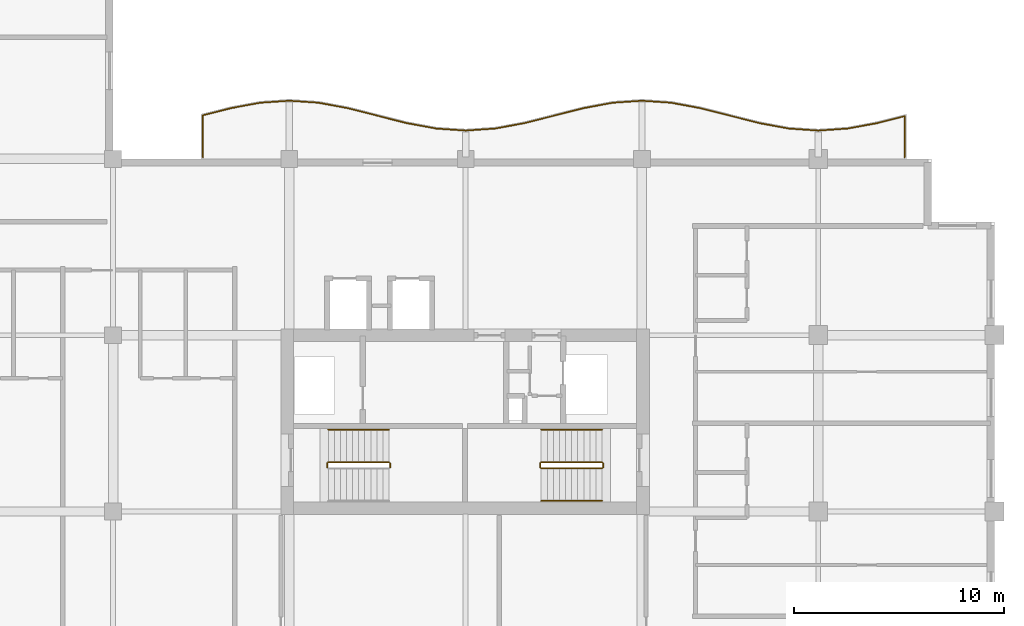
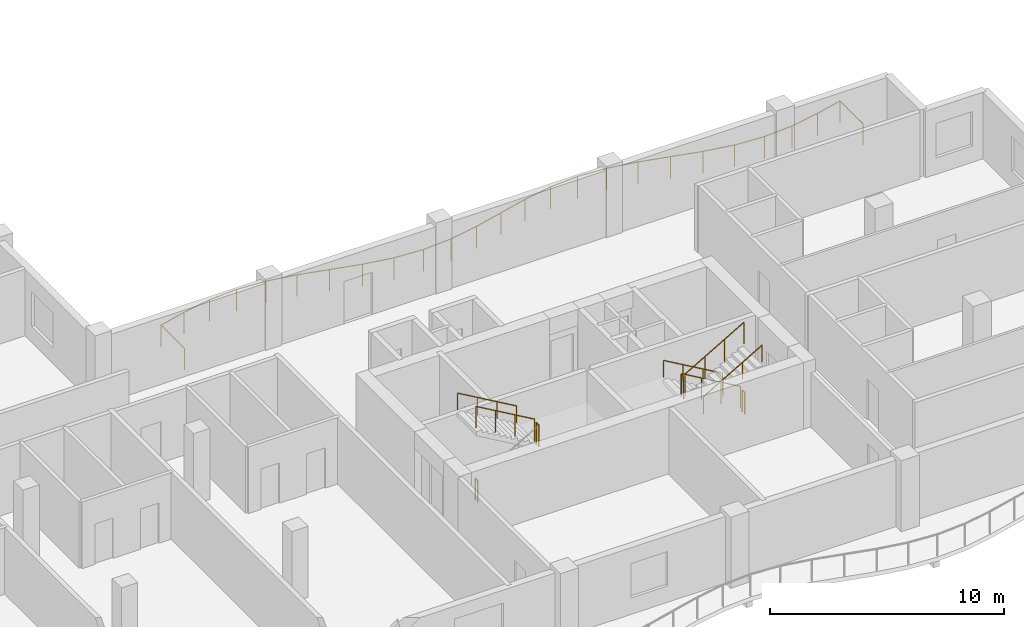
# One storey, part 14 of 16: 11 railings.
"""IFC4 building model written with IfcOpenShell, lengths in metres."""

from ifc_helpers import new_model, si_unit, direction, frame, origin, origin_2d, place, context, subcontext, project, spatial, circle, extrude, material, type_object, element, save


model = new_model("IFC4")

# Units and contexts
model_context = context("Model", 3, precision=1e-05, world=origin(), true_north=direction((0.0, 1.0)))
body_context = subcontext(model_context, "Body", "Model", "MODEL_VIEW")
ifc_project = project(units=[si_unit("LENGTHUNIT", "METRE"), si_unit("AREAUNIT", "SQUARE_METRE"), si_unit("VOLUMEUNIT", "CUBIC_METRE"), si_unit("PLANEANGLEUNIT", "RADIAN"), si_unit("MASSUNIT", "GRAM", prefix="KILO")], contexts=[model_context])

# Site, building, storey
site_placement = place(None, origin())
site = spatial("IfcSite", under=ifc_project, at=site_placement, CompositionType="ELEMENT")
building_placement = place(site_placement, origin())
building = spatial("IfcBuilding", under=site, at=building_placement, Name="Koriwani Terraces Tower", CompositionType="ELEMENT")
storey_placement = place(building_placement, frame((0.0, 0.0, 252.699951171875)))
storey = spatial("IfcBuildingStorey", under=building, at=storey_placement, Name="L62", CompositionType="ELEMENT", Elevation=252.699951171875)

# Railings
ifc_material = material(Name="Steel ASTM A572 Grade 50", Category="steel")
railing_type_1 = type_object("IfcRailingType", Name="GUARD_BALUSTRADE_1150", PredefinedType="BALUSTRADE", material=ifc_material)
railing_1_placement = place(storey_placement, frame((71.320068359375, 33.679931640625, 0.0)))
element("IfcRailing", 1, at=railing_1_placement, inside=storey, type_object=railing_type_1, Name="L62 Balcony Perimeter Safety Balustrade (NE)", PredefinedType="BALUSTRADE", context=body_context, shape_type="SweptSolid", body=[
    extrude(circle(Radius=0.02392578125, at=origin_2d()), frame((0.0, 0.0, 1.1259765625), z_axis=(0.0, 1.0, 0.0), x_axis=(-1.0, 0.0, 0.0)), (0.0, 0.0, 1.0), 1.957275390625),
    extrude(circle(Radius=0.02392578125, at=origin_2d()), frame((0.0, 1.957275390625, 1.1259765625), z_axis=(-0.969335916043, -0.245739459323, 0.0), x_axis=(0.245739459323, -0.969335916043, 0.0)), (0.0, 0.0, 1.0), 1.34423828125),
    extrude(circle(Radius=0.02392578125, at=origin_2d()), frame((-1.302978515625, 1.626953125, 1.1259765625), z_axis=(-0.983227655562, -0.182382502828, 0.0), x_axis=(0.182382502828, -0.983227655562, 0.0)), (0.0, 0.0, 1.0), 1.430908203125),
    extrude(circle(Radius=0.02392578125, at=origin_2d()), frame((-2.7099609375, 1.365966796875, 1.1259765625), z_axis=(-0.997704957786, -0.067711278299, 0.0), x_axis=(0.067711278299, -0.997704957786, 0.0)), (0.0, 0.0, 1.0), 1.413330078125),
    extrude(circle(Radius=0.02392578125, at=origin_2d()), frame((-4.1201171875, 1.270263671875, 1.1259765625), z_axis=(-0.997704165633, 0.067722949425, 0.0), x_axis=(-0.067722949425, -0.997704165633, 0.0)), (0.0, 0.0, 1.0), 1.4130859375),
    extrude(circle(Radius=0.02392578125, at=origin_2d()), frame((-5.530029296875, 1.365966796875, 1.1259765625), z_axis=(-0.983233329212, 0.182351913416, 0.0), x_axis=(-0.182351913416, -0.983233329212, 0.0)), (0.0, 0.0, 1.0), 1.43115234375),
    extrude(circle(Radius=0.02392578125, at=origin_2d()), frame((-6.937255859375, 1.626953125, 1.1259765625), z_axis=(-0.969326714928, 0.245775750895, 0.0), x_axis=(-0.245775750895, -0.969326714928, 0.0)), (0.0, 0.0, 1.0), 2.888671875),
    extrude(circle(Radius=0.02392578125, at=origin_2d()), frame((-9.7373046875, 2.3369140625, 1.1259765625), z_axis=(-0.98320420208, 0.182508895706, 0.0), x_axis=(-0.182508895706, -0.98320420208, 0.0)), (0.0, 0.0, 1.0), 1.41650390625),
    extrude(circle(Radius=0.02392578125, at=origin_2d()), frame((-11.130126953125, 2.595458984375, 1.1259765625), z_axis=(-0.997697457915, 0.067821696155, 0.0), x_axis=(-0.067821696155, -0.997697457915, 0.0)), (0.0, 0.0, 1.0), 1.39306640625),
    extrude(circle(Radius=0.02392578125, at=origin_2d()), frame((-12.52001953125, 2.68994140625, 1.1259765625), z_axis=(-0.997698263815, -0.067809839848, 0.0), x_axis=(0.067809839848, -0.997698263815, 0.0)), (0.0, 0.0, 1.0), 1.393310546875),
    extrude(circle(Radius=0.02392578125, at=origin_2d()), frame((-13.91015625, 2.595458984375, 1.1259765625), z_axis=(-0.98320420208, -0.182508895706, 0.0), x_axis=(0.182508895706, -0.98320420208, 0.0)), (0.0, 0.0, 1.0), 1.41650390625),
    extrude(circle(Radius=0.02392578125, at=origin_2d()), frame((-15.302978515625, 2.3369140625, 1.1259765625), z_axis=(-0.969326714928, -0.245775750895, 0.0), x_axis=(0.245775750895, -0.969326714928, 0.0)), (0.0, 0.0, 1.0), 2.888671875),
    extrude(circle(Radius=0.02392578125, at=origin_2d()), frame((-18.10302734375, 1.626953125, 1.1259765625), z_axis=(-0.983227655562, -0.182382502828, 0.0), x_axis=(0.182382502828, -0.983227655562, 0.0)), (0.0, 0.0, 1.0), 1.430908203125),
    extrude(circle(Radius=0.02392578125, at=origin_2d()), frame((-19.510009765625, 1.365966796875, 1.1259765625), z_axis=(-0.997704957786, -0.067711278299, 0.0), x_axis=(0.067711278299, -0.997704957786, 0.0)), (0.0, 0.0, 1.0), 1.413330078125),
    extrude(circle(Radius=0.02392578125, at=origin_2d()), frame((-20.920166015625, 1.270263671875, 1.1259765625), z_axis=(-0.997704165633, 0.067722949425, 0.0), x_axis=(-0.067722949425, -0.997704165633, 0.0)), (0.0, 0.0, 1.0), 1.4130859375),
    extrude(circle(Radius=0.02392578125, at=origin_2d()), frame((-22.330078125, 1.365966796875, 1.1259765625), z_axis=(-0.983227655562, 0.182382502828, 0.0), x_axis=(-0.182382502828, -0.983227655562, 0.0)), (0.0, 0.0, 1.0), 1.430908203125),
    extrude(circle(Radius=0.02392578125, at=origin_2d()), frame((-23.737060546875, 1.626953125, 1.1259765625), z_axis=(-0.969331819617, 0.245755617389, 0.0), x_axis=(-0.245755617389, -0.969331819617, 0.0)), (0.0, 0.0, 1.0), 2.888916015625),
    extrude(circle(Radius=0.02392578125, at=origin_2d()), frame((-26.537353515625, 2.3369140625, 1.1259765625), z_axis=(-0.98320420208, 0.182508895706, 0.0), x_axis=(-0.182508895706, -0.98320420208, 0.0)), (0.0, 0.0, 1.0), 1.41650390625),
    extrude(circle(Radius=0.02392578125, at=origin_2d()), frame((-27.93017578125, 2.595458984375, 1.1259765625), z_axis=(-0.997697457915, 0.067821696155, 0.0), x_axis=(-0.067821696155, -0.997697457915, 0.0)), (0.0, 0.0, 1.0), 1.39306640625),
    extrude(circle(Radius=0.02392578125, at=origin_2d()), frame((-29.320068359375, 2.68994140625, 1.1259765625), z_axis=(-0.997697457915, -0.067821696155, 0.0), x_axis=(0.067821696155, -0.997697457915, 0.0)), (0.0, 0.0, 1.0), 1.39306640625),
    extrude(circle(Radius=0.02392578125, at=origin_2d()), frame((-30.7099609375, 2.595458984375, 1.1259765625), z_axis=(-0.98320420208, -0.182508895706, 0.0), x_axis=(0.182508895706, -0.98320420208, 0.0)), (0.0, 0.0, 1.0), 1.41650390625),
    extrude(circle(Radius=0.02392578125, at=origin_2d()), frame((-32.102783203125, 2.3369140625, 1.1259765625), z_axis=(-0.969325182173, -0.245781795918, 0.0), x_axis=(0.245781795918, -0.969325182173, 0.0)), (0.0, 0.0, 1.0), 1.379638671875),
    extrude(circle(Radius=0.02392578125, at=origin_2d()), frame((-33.440185546875, 1.997802734375, 1.1259765625), z_axis=(0.0, -1.0, 0.0), x_axis=(1.0, 0.0, 0.0)), (0.0, 0.0, 1.0), 1.997802734375),
    extrude(circle(Radius=0.02099609375, at=origin_2d()), origin(), (0.0, 0.0, 1.0), 1.101806640625),
    extrude(circle(Radius=0.02099609375, at=origin_2d()), frame((0.0, 1.957275390625, 0.0)), (0.0, 0.0, 1.0), 1.101806640625),
    extrude(circle(Radius=0.02099609375, at=origin_2d()), frame((-1.302978515625, 1.626953125, 0.0)), (0.0, 0.0, 1.0), 1.101806640625),
    extrude(circle(Radius=0.02099609375, at=origin_2d()), frame((-2.7099609375, 1.365966796875, 0.0)), (0.0, 0.0, 1.0), 1.101806640625),
    extrude(circle(Radius=0.02099609375, at=origin_2d()), frame((-4.1201171875, 1.270263671875, 0.0)), (0.0, 0.0, 1.0), 1.101806640625),
    extrude(circle(Radius=0.02099609375, at=origin_2d()), frame((-5.530029296875, 1.365966796875, 0.0)), (0.0, 0.0, 1.0), 1.101806640625),
    extrude(circle(Radius=0.02099609375, at=origin_2d()), frame((-6.937255859375, 1.626953125, 0.0)), (0.0, 0.0, 1.0), 1.101806640625),
    extrude(circle(Radius=0.02099609375, at=origin_2d()), frame((-8.33740234375, 1.98193359375, 0.0)), (0.0, 0.0, 1.0), 1.101806640625),
    extrude(circle(Radius=0.02099609375, at=origin_2d()), frame((-9.7373046875, 2.3369140625, 0.0)), (0.0, 0.0, 1.0), 1.101806640625),
    extrude(circle(Radius=0.02099609375, at=origin_2d()), frame((-11.130126953125, 2.595458984375, 0.0)), (0.0, 0.0, 1.0), 1.101806640625),
    extrude(circle(Radius=0.02099609375, at=origin_2d()), frame((-12.52001953125, 2.68994140625, 0.0)), (0.0, 0.0, 1.0), 1.101806640625),
    extrude(circle(Radius=0.02099609375, at=origin_2d()), frame((-13.91015625, 2.595458984375, 0.0)), (0.0, 0.0, 1.0), 1.101806640625),
    extrude(circle(Radius=0.02099609375, at=origin_2d()), frame((-15.302978515625, 2.3369140625, 0.0)), (0.0, 0.0, 1.0), 1.101806640625),
    extrude(circle(Radius=0.02099609375, at=origin_2d()), frame((-16.703125, 1.98193359375, 0.0)), (0.0, 0.0, 1.0), 1.101806640625),
    extrude(circle(Radius=0.02099609375, at=origin_2d()), frame((-18.10302734375, 1.626953125, 0.0)), (0.0, 0.0, 1.0), 1.101806640625),
    extrude(circle(Radius=0.02099609375, at=origin_2d()), frame((-19.510009765625, 1.365966796875, 0.0)), (0.0, 0.0, 1.0), 1.101806640625),
    extrude(circle(Radius=0.02099609375, at=origin_2d()), frame((-20.920166015625, 1.270263671875, 0.0)), (0.0, 0.0, 1.0), 1.101806640625),
    extrude(circle(Radius=0.02099609375, at=origin_2d()), frame((-22.330078125, 1.365966796875, 0.0)), (0.0, 0.0, 1.0), 1.101806640625),
    extrude(circle(Radius=0.02099609375, at=origin_2d()), frame((-23.737060546875, 1.626953125, 0.0)), (0.0, 0.0, 1.0), 1.101806640625),
    extrude(circle(Radius=0.02099609375, at=origin_2d()), frame((-25.13720703125, 1.98193359375, 0.0)), (0.0, 0.0, 1.0), 1.101806640625),
    extrude(circle(Radius=0.02099609375, at=origin_2d()), frame((-26.537353515625, 2.3369140625, 0.0)), (0.0, 0.0, 1.0), 1.101806640625),
    extrude(circle(Radius=0.02099609375, at=origin_2d()), frame((-27.93017578125, 2.595458984375, 0.0)), (0.0, 0.0, 1.0), 1.101806640625),
    extrude(circle(Radius=0.02099609375, at=origin_2d()), frame((-29.320068359375, 2.68994140625, 0.0)), (0.0, 0.0, 1.0), 1.101806640625),
    extrude(circle(Radius=0.02099609375, at=origin_2d()), frame((-30.7099609375, 2.595458984375, 0.0)), (0.0, 0.0, 1.0), 1.101806640625),
    extrude(circle(Radius=0.02099609375, at=origin_2d()), frame((-32.102783203125, 2.3369140625, 0.0)), (0.0, 0.0, 1.0), 1.101806640625),
    extrude(circle(Radius=0.02099609375, at=origin_2d()), frame((-33.440185546875, 1.997802734375, 0.0)), (0.0, 0.0, 1.0), 1.101806640625),
    extrude(circle(Radius=0.02099609375, at=origin_2d()), frame((-33.440185546875, 0.0, 0.0)), (0.0, 0.0, 1.0), 1.101806640625),
])
railing_type_2 = type_object("IfcRailingType", Name="GUARD_STAIR_WELL_1120", PredefinedType="GUARDRAIL", material=ifc_material)
railing_2_placement = place(storey_placement, frame((46.800048828125, 18.89990234375, 1.85009765625)))
element("IfcRailing", 2, at=railing_2_placement, inside=storey, type_object=railing_type_2, Name="L62 ST-E1 stair guard 2", PredefinedType="GUARDRAIL", context=body_context, shape_type="SweptSolid", body=[
    extrude(circle(Radius=0.02392578125, at=origin_2d()), frame((0.0, 0.0, 1.1259765625), z_axis=(0.0, 1.0, 0.0), x_axis=(-1.0, 0.0, 0.0)), (0.0, 0.0, 1.0), 0.2001953125),
    extrude(circle(Radius=0.02099609375, at=origin_2d()), origin(), (0.0, 0.0, 1.0), 1.101806640625),
    extrude(circle(Radius=0.02099609375, at=origin_2d()), frame((0.0, 0.2001953125, 0.0)), (0.0, 0.0, 1.0), 1.101806640625),
])
railing_3_placement = place(storey_placement, frame((46.75, 19.14990234375, 2.018310546875)))
element("IfcRailing", 3, at=railing_3_placement, inside=storey, type_object=railing_type_2, Name="L62 ST-E1 stair guard 3", PredefinedType="GUARDRAIL", context=body_context, shape_type="SweptSolid", body=[
    extrude(circle(Radius=0.02392578125, at=origin_2d()), frame((0.0, 0.0, 1.1259765625), z_axis=(-0.86507038078, 0.0, 0.501650512107), x_axis=(0.0, -1.0, 0.0)), (0.0, 0.0, 1.0), 3.352294921875),
    extrude(circle(Radius=0.02099609375, at=origin_2d()), origin(), (0.0, 0.0, 1.0), 1.101806640625),
    extrude(circle(Radius=0.02099609375, at=origin_2d()), frame((-0.966552734375, 0.0, 0.560546875)), (0.0, 0.0, 1.0), 1.101806640625),
    extrude(circle(Radius=0.02099609375, at=origin_2d()), frame((-1.933349609375, 0.0, 1.12109375)), (0.0, 0.0, 1.0), 1.101806640625),
    extrude(circle(Radius=0.02099609375, at=origin_2d()), frame((-2.89990234375, 0.0, 1.681640625)), (0.0, 0.0, 1.0), 1.101806640625),
])
railing_4_placement = place(storey_placement, frame((43.800048828125, 18.89990234375, 0.0)))
element("IfcRailing", 4, at=railing_4_placement, inside=storey, type_object=railing_type_2, Name="L62 ST-E1 stair guard 4", PredefinedType="GUARDRAIL", context=body_context, shape_type="SweptSolid", body=[
    extrude(circle(Radius=0.02392578125, at=origin_2d()), frame((0.0, 0.0, 1.1259765625), z_axis=(0.0, 1.0, 0.0), x_axis=(-1.0, 0.0, 0.0)), (0.0, 0.0, 1.0), 0.2001953125),
    extrude(circle(Radius=0.02099609375, at=origin_2d()), origin(), (0.0, 0.0, 1.0), 1.101806640625),
    extrude(circle(Radius=0.02099609375, at=origin_2d()), frame((0.0, 0.2001953125, 0.0)), (0.0, 0.0, 1.0), 1.101806640625),
])
railing_5_placement = place(storey_placement, frame((56.89990234375, 19.14990234375, 0.168212890625)))
element("IfcRailing", 5, at=railing_5_placement, inside=storey, type_object=railing_type_2, Name="L62 ST-E2 stair guard 1", PredefinedType="GUARDRAIL", context=body_context, shape_type="SweptSolid", body=[
    extrude(circle(Radius=0.02392578125, at=origin_2d()), frame((0.0, 0.0, 1.1259765625), z_axis=(-0.865038774852, 0.0, 0.501705010941), x_axis=(0.0, -1.0, 0.0)), (0.0, 0.0, 1.0), 3.352294921875),
    extrude(circle(Radius=0.02099609375, at=origin_2d()), origin(), (0.0, 0.0, 1.0), 1.101806640625),
    extrude(circle(Radius=0.02099609375, at=origin_2d()), frame((-0.966552734375, 0.0, 0.560546875)), (0.0, 0.0, 1.0), 1.101806640625),
    extrude(circle(Radius=0.02099609375, at=origin_2d()), frame((-1.933349609375, 0.0, 1.121337890625)), (0.0, 0.0, 1.0), 1.101806640625),
    extrude(circle(Radius=0.02099609375, at=origin_2d()), frame((-2.89990234375, 0.0, 1.681884765625)), (0.0, 0.0, 1.0), 1.101806640625),
])
railing_6_placement = place(storey_placement, frame((53.949951171875, 19.10009765625, 1.85009765625)))
element("IfcRailing", 6, at=railing_6_placement, inside=storey, type_object=railing_type_2, Name="L62 ST-E2 stair guard 2", PredefinedType="GUARDRAIL", context=body_context, shape_type="SweptSolid", body=[
    extrude(circle(Radius=0.02392578125, at=origin_2d()), frame((0.0, 0.0, 1.1259765625), z_axis=(0.0, -1.0, 0.0), x_axis=(1.0, 0.0, 0.0)), (0.0, 0.0, 1.0), 0.2001953125),
    extrude(circle(Radius=0.02099609375, at=origin_2d()), origin(), (0.0, 0.0, 1.0), 1.101806640625),
    extrude(circle(Radius=0.02099609375, at=origin_2d()), frame((0.0, -0.2001953125, 0.0)), (0.0, 0.0, 1.0), 1.101806640625),
])
railing_7_placement = place(storey_placement, frame((54.0, 18.85009765625, 2.018310546875)))
element("IfcRailing", 7, at=railing_7_placement, inside=storey, type_object=railing_type_2, Name="L62 ST-E2 stair guard 3", PredefinedType="GUARDRAIL", context=body_context, shape_type="SweptSolid", body=[
    extrude(circle(Radius=0.02392578125, at=origin_2d()), frame((0.0, 0.0, 1.1259765625), z_axis=(0.86507038078, 0.0, 0.501650512107), x_axis=(0.0, 1.0, 0.0)), (0.0, 0.0, 1.0), 3.352294921875),
    extrude(circle(Radius=0.02099609375, at=origin_2d()), origin(), (0.0, 0.0, 1.0), 1.101806640625),
    extrude(circle(Radius=0.02099609375, at=origin_2d()), frame((0.966552734375, 0.0, 0.560546875)), (0.0, 0.0, 1.0), 1.101806640625),
    extrude(circle(Radius=0.02099609375, at=origin_2d()), frame((1.933349609375, 0.0, 1.12109375)), (0.0, 0.0, 1.0), 1.101806640625),
    extrude(circle(Radius=0.02099609375, at=origin_2d()), frame((2.89990234375, 0.0, 1.681640625)), (0.0, 0.0, 1.0), 1.101806640625),
])
railing_8_placement = place(storey_placement, frame((56.949951171875, 19.10009765625, 0.0)))
element("IfcRailing", 8, at=railing_8_placement, inside=storey, type_object=railing_type_2, Name="L62 ST-E2 stair guard 4", PredefinedType="GUARDRAIL", context=body_context, shape_type="SweptSolid", body=[
    extrude(circle(Radius=0.02392578125, at=origin_2d()), frame((0.0, 0.0, 1.1259765625), z_axis=(0.0, -1.0, 0.0), x_axis=(1.0, 0.0, 0.0)), (0.0, 0.0, 1.0), 0.2001953125),
    extrude(circle(Radius=0.02099609375, at=origin_2d()), origin(), (0.0, 0.0, 1.0), 1.101806640625),
    extrude(circle(Radius=0.02099609375, at=origin_2d()), frame((0.0, -0.2001953125, 0.0)), (0.0, 0.0, 1.0), 1.101806640625),
])
railing_type_3 = type_object("IfcRailingType", Name="HANDRAIL_STAIR_920", PredefinedType="HANDRAIL", material=ifc_material)
railing_9_placement = place(storey_placement, frame((46.75, 20.699951171875, 2.018310546875)))
element("IfcRailing", 9, at=railing_9_placement, inside=storey, type_object=railing_type_3, Name="L62 ST-E1 stair handrail 2", PredefinedType="HANDRAIL", context=body_context, shape_type="SweptSolid", body=[
    extrude(circle(Radius=0.02392578125, at=origin_2d()), frame((0.0, 0.0, 0.8759765625), z_axis=(-0.86507038078, 0.0, 0.501650512107), x_axis=(0.0, -1.0, 0.0)), (0.0, 0.0, 1.0), 3.352294921875),
    extrude(circle(Radius=0.02099609375, at=origin_2d()), origin(), (0.0, 0.0, 1.0), 0.851806640625),
    extrude(circle(Radius=0.02099609375, at=origin_2d()), frame((-0.966552734375, 0.0, 0.560546875)), (0.0, 0.0, 1.0), 0.851806640625),
    extrude(circle(Radius=0.02099609375, at=origin_2d()), frame((-1.933349609375, 0.0, 1.12109375)), (0.0, 0.0, 1.0), 0.851806640625),
    extrude(circle(Radius=0.02099609375, at=origin_2d()), frame((-2.89990234375, 0.0, 1.681640625)), (0.0, 0.0, 1.0), 0.851806640625),
])
railing_10_placement = place(storey_placement, frame((56.89990234375, 20.699951171875, 0.168212890625)))
element("IfcRailing", 10, at=railing_10_placement, inside=storey, type_object=railing_type_3, Name="L62 ST-E2 stair handrail 1", PredefinedType="HANDRAIL", context=body_context, shape_type="SweptSolid", body=[
    extrude(circle(Radius=0.02392578125, at=origin_2d()), frame((0.0, 0.0, 0.8759765625), z_axis=(-0.865038774852, 0.0, 0.501705010941), x_axis=(0.0, -1.0, 0.0)), (0.0, 0.0, 1.0), 3.352294921875),
    extrude(circle(Radius=0.02099609375, at=origin_2d()), origin(), (0.0, 0.0, 1.0), 0.851806640625),
    extrude(circle(Radius=0.02099609375, at=origin_2d()), frame((-0.966552734375, 0.0, 0.560546875)), (0.0, 0.0, 1.0), 0.851806640625),
    extrude(circle(Radius=0.02099609375, at=origin_2d()), frame((-1.933349609375, 0.0, 1.121337890625)), (0.0, 0.0, 1.0), 0.851806640625),
    extrude(circle(Radius=0.02099609375, at=origin_2d()), frame((-2.89990234375, 0.0, 1.681884765625)), (0.0, 0.0, 1.0), 0.851806640625),
])
railing_11_placement = place(storey_placement, frame((54.0, 17.300048828125, 2.018310546875)))
element("IfcRailing", 11, at=railing_11_placement, inside=storey, type_object=railing_type_3, Name="L62 ST-E2 stair handrail 2", PredefinedType="HANDRAIL", context=body_context, shape_type="SweptSolid", body=[
    extrude(circle(Radius=0.02392578125, at=origin_2d()), frame((0.0, 0.0, 0.8759765625), z_axis=(0.86507038078, 0.0, 0.501650512107), x_axis=(0.0, 1.0, 0.0)), (0.0, 0.0, 1.0), 3.352294921875),
    extrude(circle(Radius=0.02099609375, at=origin_2d()), origin(), (0.0, 0.0, 1.0), 0.851806640625),
    extrude(circle(Radius=0.02099609375, at=origin_2d()), frame((0.966552734375, 0.0, 0.560546875)), (0.0, 0.0, 1.0), 0.851806640625),
    extrude(circle(Radius=0.02099609375, at=origin_2d()), frame((1.933349609375, 0.0, 1.12109375)), (0.0, 0.0, 1.0), 0.851806640625),
    extrude(circle(Radius=0.02099609375, at=origin_2d()), frame((2.89990234375, 0.0, 1.681640625)), (0.0, 0.0, 1.0), 0.851806640625),
])

save(model, "model.ifc")
